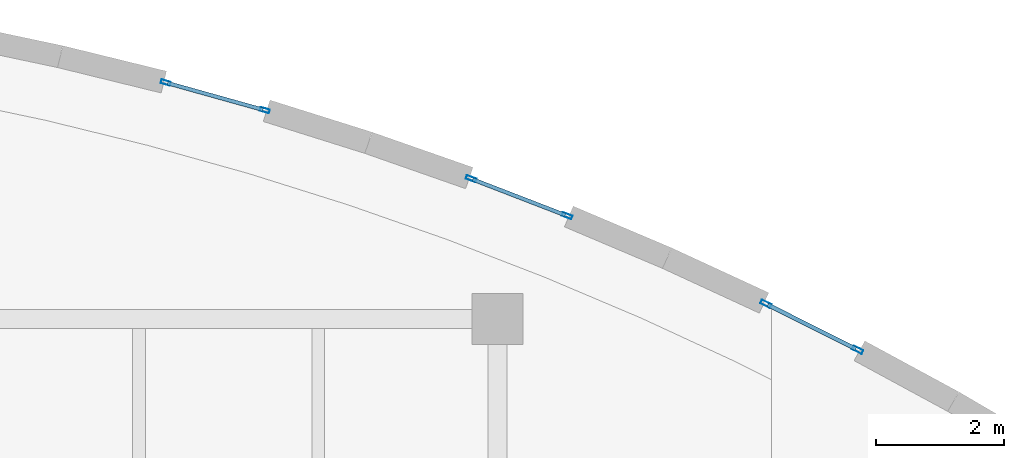
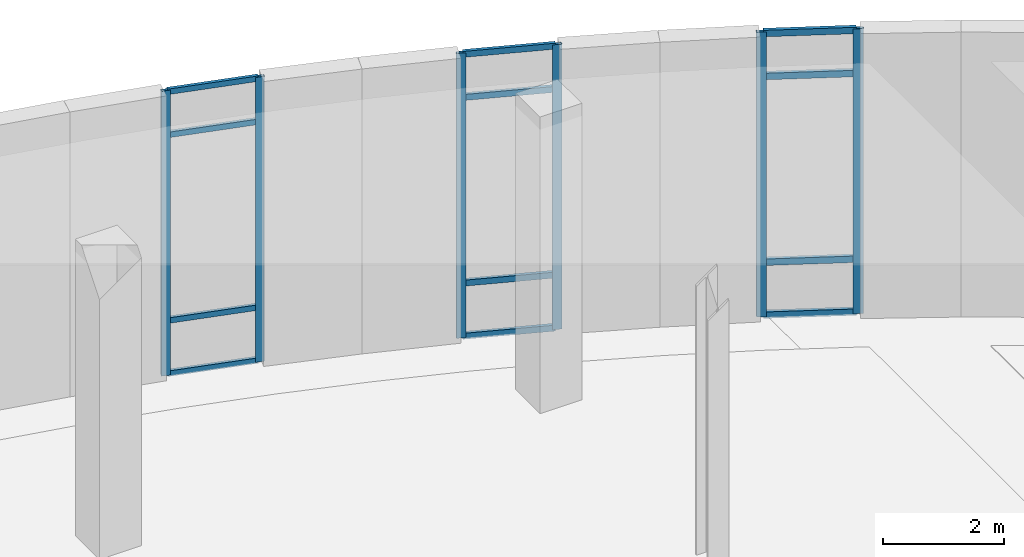
# One storey, part 36 of 85: 18 members, 3 elements without a shape of their own.
"""IFC4 building model written with IfcOpenShell, lengths in metres."""

from ifc_helpers import new_model, si_unit, direction, frame, origin, origin_2d, place, context, subcontext, project, spatial, hollow_rectangle, extrude, material, layer, layer_set, material_profile, profile_set, type_object, element, aggregate, save


model = new_model("IFC4")

# Units and contexts
model_context = context("Model", 3, precision=1e-05, world=origin(), true_north=direction((0.0, 1.0)))
body_context = subcontext(model_context, "Body", "Model", "MODEL_VIEW")
ifc_project = project(units=[si_unit("LENGTHUNIT", "METRE"), si_unit("AREAUNIT", "SQUARE_METRE"), si_unit("VOLUMEUNIT", "CUBIC_METRE"), si_unit("PLANEANGLEUNIT", "RADIAN"), si_unit("MASSUNIT", "GRAM", prefix="KILO"), si_unit("THERMODYNAMICTEMPERATUREUNIT", "KELVIN")], contexts=[model_context])

# Site, building, storey
site_placement = place(None, origin())
site = spatial("IfcSite", under=ifc_project, at=site_placement, CompositionType="ELEMENT")
building_placement = place(site_placement, origin())
building = spatial("IfcBuilding", under=site, at=building_placement, Name="Lustrewick Department Store", CompositionType="ELEMENT")
storey_placement = place(building_placement, origin())
storey = spatial("IfcBuildingStorey", under=building, at=storey_placement, Name="L01", CompositionType="ELEMENT", Elevation=0.0)

# Curtain wall, members
ifc_material = material(Name="Thermally broken aluminium 6063-T5", Category="aluminium")
ifc_layer_1 = layer(ifc_material, 0.169921875, Name="Thermally broken aluminium 6063-T5")
ifc_layer_set_1 = layer_set([ifc_layer_1], Name="Thermally broken aluminium 6063-T5")
curtain_wall_type_1 = type_object("IfcCurtainWallType", Name="CW12", PredefinedType="NOTDEFINED", material=ifc_layer_set_1)
curtain_wall_1_placement = place(storey_placement, origin())
curtain_wall_1 = element("IfcCurtainWall", 1, at=curtain_wall_1_placement, inside=storey, type_object=curtain_wall_type_1, Name="L01 V4 Curtain Wall CW12", PredefinedType="NOTDEFINED")
ifc_material_profile_1 = material_profile(ifc_material, hollow_rectangle(XDim=0.06494140625, YDim=0.169921875, WallThickness=0.00390625, at=origin_2d()), Name="ALU-M 65x170x4")
ifc_profile_set_1 = profile_set([ifc_material_profile_1], Name="Thermally broken aluminium 6063-T5")
member_type_1 = type_object("IfcMemberType", Name="CW12-M1", PredefinedType="MULLION", material=ifc_profile_set_1)
member_1_placement = place(storey_placement, frame((140.02294921875, 105.7177734375, 0.0), z_axis=(0.0, 0.0, 1.0), x_axis=(-0.448269164132, -0.893898627635, 0.0)))
member_1 = element("IfcMember", 2, at=member_1_placement, type_object=member_type_1, Name="CW12 mullion 1", PredefinedType="MULLION", context=body_context, shape_type="SweptSolid", body=[
    extrude(hollow_rectangle(XDim=0.06494140625, YDim=0.169921875, WallThickness=0.00390625, at=origin_2d()), origin(), (0.0, 0.0, 1.0), 5.7451171875),
])
member_2_placement = place(storey_placement, frame((138.591064453125, 106.435791015625, 0.0), z_axis=(0.0, 0.0, 1.0), x_axis=(-0.448269164132, -0.893898627635, 0.0)))
member_2 = element("IfcMember", 3, at=member_2_placement, type_object=member_type_1, Name="CW12 mullion 2", PredefinedType="MULLION", context=body_context, shape_type="SweptSolid", body=[
    extrude(hollow_rectangle(XDim=0.06494140625, YDim=0.169921875, WallThickness=0.00390625, at=origin_2d()), origin(), (0.0, 0.0, 1.0), 5.7451171875),
])
ifc_material_profile_2 = material_profile(ifc_material, hollow_rectangle(XDim=0.06494140625, YDim=0.1298828125, WallThickness=0.00341796875, at=origin_2d()), Name="ALU-T 65x130x3.5")
ifc_profile_set_2 = profile_set([ifc_material_profile_2], Name="Thermally broken aluminium 6063-T5")
member_type_2 = type_object("IfcMemberType", Name="CW12-T1", PredefinedType="USERDEFINED", material=ifc_profile_set_2)
member_3_placement = place(storey_placement, frame((139.993896484375, 105.732421875, 0.032470703125), z_axis=(-0.893950079158, 0.44816654937, 0.0), x_axis=(-0.44816654937, -0.893950079158, 0.0)))
member_3 = element("IfcMember", 4, at=member_3_placement, type_object=member_type_2, Name="CW12 transom 1.1", ObjectType="TRANSOM", PredefinedType="USERDEFINED", context=body_context, shape_type="SweptSolid", body=[
    extrude(hollow_rectangle(XDim=0.06494140625, YDim=0.1298828125, WallThickness=0.00341796875, at=origin_2d()), origin(), (0.0, 0.0, 1.0), 1.536865234375),
])
member_4_placement = place(storey_placement, frame((139.993896484375, 105.732421875, 1.10009765625), z_axis=(-0.893950079158, 0.44816654937, 0.0), x_axis=(-0.44816654937, -0.893950079158, 0.0)))
member_4 = element("IfcMember", 5, at=member_4_placement, type_object=member_type_2, Name="CW12 transom 1.2", ObjectType="TRANSOM", PredefinedType="USERDEFINED", context=body_context, shape_type="SweptSolid", body=[
    extrude(hollow_rectangle(XDim=0.06494140625, YDim=0.1298828125, WallThickness=0.00341796875, at=origin_2d()), origin(), (0.0, 0.0, 1.0), 1.536865234375),
])
member_5_placement = place(storey_placement, frame((139.993896484375, 105.732421875, 4.844970703125), z_axis=(-0.893950079158, 0.44816654937, 0.0), x_axis=(-0.44816654937, -0.893950079158, 0.0)))
member_5 = element("IfcMember", 6, at=member_5_placement, type_object=member_type_2, Name="CW12 transom 1.3", ObjectType="TRANSOM", PredefinedType="USERDEFINED", context=body_context, shape_type="SweptSolid", body=[
    extrude(hollow_rectangle(XDim=0.06494140625, YDim=0.1298828125, WallThickness=0.00341796875, at=origin_2d()), origin(), (0.0, 0.0, 1.0), 1.536865234375),
])
member_6_placement = place(storey_placement, frame((139.993896484375, 105.732421875, 5.71240234375), z_axis=(-0.893950079158, 0.44816654937, 0.0), x_axis=(-0.44816654937, -0.893950079158, 0.0)))
member_6 = element("IfcMember", 7, at=member_6_placement, type_object=member_type_2, Name="CW12 transom 1.4", ObjectType="TRANSOM", PredefinedType="USERDEFINED", context=body_context, shape_type="SweptSolid", body=[
    extrude(hollow_rectangle(XDim=0.06494140625, YDim=0.1298828125, WallThickness=0.00341796875, at=origin_2d()), origin(), (0.0, 0.0, 1.0), 1.536865234375),
])
aggregate(curtain_wall_1, [member_1, member_2, member_3, member_4, member_5, member_6])

ifc_layer_2 = layer(ifc_material, 0.159912109375, Name="Thermally broken aluminium 6063-T5")
ifc_layer_set_2 = layer_set([ifc_layer_2], Name="Thermally broken aluminium 6063-T5")
curtain_wall_type_2 = type_object("IfcCurtainWallType", Name="CW13", PredefinedType="NOTDEFINED", material=ifc_layer_set_2)
curtain_wall_2_placement = place(storey_placement, origin())
curtain_wall_2 = element("IfcCurtainWall", 8, at=curtain_wall_2_placement, inside=storey, type_object=curtain_wall_type_2, Name="L01 V4 Curtain Wall CW13", PredefinedType="NOTDEFINED")
ifc_material_profile_3 = material_profile(ifc_material, hollow_rectangle(XDim=0.06005859375, YDim=0.159912109375, WallThickness=0.00390625, at=origin_2d()), Name="ALU-M 60x160x4")
ifc_profile_set_3 = profile_set([ifc_material_profile_3], Name="Thermally broken aluminium 6063-T5")
member_type_3 = type_object("IfcMemberType", Name="CW13-M1", PredefinedType="MULLION", material=ifc_profile_set_3)
member_7_placement = place(storey_placement, frame((135.48583984375, 107.810546875, 0.0), z_axis=(0.0, 0.0, 1.0), x_axis=(-0.360369620251, -0.932809593004, 0.0)))
member_7 = element("IfcMember", 9, at=member_7_placement, type_object=member_type_3, Name="CW13 mullion 1", PredefinedType="MULLION", context=body_context, shape_type="SweptSolid", body=[
    extrude(hollow_rectangle(XDim=0.06005859375, YDim=0.159912109375, WallThickness=0.00390625, at=origin_2d()), origin(), (0.0, 0.0, 1.0), 5.7451171875),
])
member_8_placement = place(storey_placement, frame((133.987060546875, 108.3896484375, 0.0), z_axis=(0.0, 0.0, 1.0), x_axis=(-0.360369620251, -0.932809593004, 0.0)))
member_8 = element("IfcMember", 10, at=member_8_placement, type_object=member_type_3, Name="CW13 mullion 2", PredefinedType="MULLION", context=body_context, shape_type="SweptSolid", body=[
    extrude(hollow_rectangle(XDim=0.06005859375, YDim=0.159912109375, WallThickness=0.00390625, at=origin_2d()), origin(), (0.0, 0.0, 1.0), 5.7451171875),
])
ifc_material_profile_4 = material_profile(ifc_material, hollow_rectangle(XDim=0.06005859375, YDim=0.1201171875, WallThickness=0.00341796875, at=origin_2d()), Name="ALU-T 60x120x3.5")
ifc_profile_set_4 = profile_set([ifc_material_profile_4], Name="Thermally broken aluminium 6063-T5")
member_type_4 = type_object("IfcMemberType", Name="CW13-T1", PredefinedType="USERDEFINED", material=ifc_profile_set_4)
member_9_placement = place(storey_placement, frame((135.4580078125, 107.8212890625, 0.030029296875), z_axis=(-0.932840330037, 0.360290047957, 0.0), x_axis=(-0.360290047957, -0.932840330037, 0.0)))
member_9 = element("IfcMember", 11, at=member_9_placement, type_object=member_type_4, Name="CW13 transom 1.1", ObjectType="TRANSOM", PredefinedType="USERDEFINED", context=body_context, shape_type="SweptSolid", body=[
    extrude(hollow_rectangle(XDim=0.06005859375, YDim=0.1201171875, WallThickness=0.00341796875, at=origin_2d()), origin(), (0.0, 0.0, 1.0), 1.547119140625),
])
member_10_placement = place(storey_placement, frame((135.4580078125, 107.8212890625, 1.10009765625), z_axis=(-0.932840330037, 0.360290047957, 0.0), x_axis=(-0.360290047957, -0.932840330037, 0.0)))
member_10 = element("IfcMember", 12, at=member_10_placement, type_object=member_type_4, Name="CW13 transom 1.2", ObjectType="TRANSOM", PredefinedType="USERDEFINED", context=body_context, shape_type="SweptSolid", body=[
    extrude(hollow_rectangle(XDim=0.06005859375, YDim=0.1201171875, WallThickness=0.00341796875, at=origin_2d()), origin(), (0.0, 0.0, 1.0), 1.547119140625),
])
member_11_placement = place(storey_placement, frame((135.4580078125, 107.8212890625, 4.844970703125), z_axis=(-0.932840330037, 0.360290047957, 0.0), x_axis=(-0.360290047957, -0.932840330037, 0.0)))
member_11 = element("IfcMember", 13, at=member_11_placement, type_object=member_type_4, Name="CW13 transom 1.3", ObjectType="TRANSOM", PredefinedType="USERDEFINED", context=body_context, shape_type="SweptSolid", body=[
    extrude(hollow_rectangle(XDim=0.06005859375, YDim=0.1201171875, WallThickness=0.00341796875, at=origin_2d()), origin(), (0.0, 0.0, 1.0), 1.547119140625),
])
member_12_placement = place(storey_placement, frame((135.4580078125, 107.8212890625, 5.715087890625), z_axis=(-0.932840330037, 0.360290047957, 0.0), x_axis=(-0.360290047957, -0.932840330037, 0.0)))
member_12 = element("IfcMember", 14, at=member_12_placement, type_object=member_type_4, Name="CW13 transom 1.4", ObjectType="TRANSOM", PredefinedType="USERDEFINED", context=body_context, shape_type="SweptSolid", body=[
    extrude(hollow_rectangle(XDim=0.06005859375, YDim=0.1201171875, WallThickness=0.00341796875, at=origin_2d()), origin(), (0.0, 0.0, 1.0), 1.547119140625),
])
aggregate(curtain_wall_2, [member_7, member_8, member_9, member_10, member_11, member_12])

ifc_layer_3 = layer(ifc_material, 0.14990234375, Name="Thermally broken aluminium 6063-T5")
ifc_layer_set_3 = layer_set([ifc_layer_3], Name="Thermally broken aluminium 6063-T5")
curtain_wall_type_3 = type_object("IfcCurtainWallType", Name="CW14", PredefinedType="NOTDEFINED", material=ifc_layer_set_3)
curtain_wall_3_placement = place(storey_placement, origin())
curtain_wall_3 = element("IfcCurtainWall", 15, at=curtain_wall_3_placement, inside=storey, type_object=curtain_wall_type_3, Name="L01 V4 Curtain Wall CW14", PredefinedType="NOTDEFINED")
ifc_material_profile_5 = material_profile(ifc_material, hollow_rectangle(XDim=0.06005859375, YDim=0.14990234375, WallThickness=0.00341796875, at=origin_2d()), Name="ALU-M 60x150x3.5")
ifc_profile_set_5 = profile_set([ifc_material_profile_5], Name="Thermally broken aluminium 6063-T5")
member_type_5 = type_object("IfcMemberType", Name="CW14-M1", PredefinedType="MULLION", material=ifc_profile_set_5)
member_13_placement = place(storey_placement, frame((130.7666015625, 109.458740234375, 0.0), z_axis=(0.0, 0.0, 1.0), x_axis=(-0.269122540313, -0.963105943443, 0.0)))
member_13 = element("IfcMember", 16, at=member_13_placement, type_object=member_type_5, Name="CW14 mullion 1", PredefinedType="MULLION", context=body_context, shape_type="SweptSolid", body=[
    extrude(hollow_rectangle(XDim=0.06005859375, YDim=0.14990234375, WallThickness=0.00341796875, at=origin_2d()), origin(), (0.0, 0.0, 1.0), 5.7451171875),
])
member_14_placement = place(storey_placement, frame((129.218994140625, 109.89111328125, 0.0), z_axis=(0.0, 0.0, 1.0), x_axis=(-0.269122540313, -0.963105943443, 0.0)))
member_14 = element("IfcMember", 17, at=member_14_placement, type_object=member_type_5, Name="CW14 mullion 2", PredefinedType="MULLION", context=body_context, shape_type="SweptSolid", body=[
    extrude(hollow_rectangle(XDim=0.06005859375, YDim=0.14990234375, WallThickness=0.00341796875, at=origin_2d()), origin(), (0.0, 0.0, 1.0), 5.7451171875),
])
ifc_material_profile_6 = material_profile(ifc_material, hollow_rectangle(XDim=0.06005859375, YDim=0.110107421875, WallThickness=0.0029296875, at=origin_2d()), Name="ALU-T 60x110x3")
ifc_profile_set_6 = profile_set([ifc_material_profile_6], Name="Thermally broken aluminium 6063-T5")
member_type_6 = type_object("IfcMemberType", Name="CW14-T1", PredefinedType="USERDEFINED", material=ifc_profile_set_6)
member_15_placement = place(storey_placement, frame((130.737548828125, 109.466796875, 0.030029296875), z_axis=(-0.963109770837, 0.269108842884, 0.0), x_axis=(-0.269108842884, -0.963109770837, 0.0)))
member_15 = element("IfcMember", 18, at=member_15_placement, type_object=member_type_6, Name="CW14 transom 1.1", ObjectType="TRANSOM", PredefinedType="USERDEFINED", context=body_context, shape_type="SweptSolid", body=[
    extrude(hollow_rectangle(XDim=0.06005859375, YDim=0.110107421875, WallThickness=0.0029296875, at=origin_2d()), origin(), (0.0, 0.0, 1.0), 1.546875),
])
member_16_placement = place(storey_placement, frame((130.737548828125, 109.466796875, 1.10009765625), z_axis=(-0.963109770837, 0.269108842884, 0.0), x_axis=(-0.269108842884, -0.963109770837, 0.0)))
member_16 = element("IfcMember", 19, at=member_16_placement, type_object=member_type_6, Name="CW14 transom 1.2", ObjectType="TRANSOM", PredefinedType="USERDEFINED", context=body_context, shape_type="SweptSolid", body=[
    extrude(hollow_rectangle(XDim=0.06005859375, YDim=0.110107421875, WallThickness=0.0029296875, at=origin_2d()), origin(), (0.0, 0.0, 1.0), 1.546875),
])
member_17_placement = place(storey_placement, frame((130.737548828125, 109.466796875, 4.844970703125), z_axis=(-0.963109770837, 0.269108842884, 0.0), x_axis=(-0.269108842884, -0.963109770837, 0.0)))
member_17 = element("IfcMember", 20, at=member_17_placement, type_object=member_type_6, Name="CW14 transom 1.3", ObjectType="TRANSOM", PredefinedType="USERDEFINED", context=body_context, shape_type="SweptSolid", body=[
    extrude(hollow_rectangle(XDim=0.06005859375, YDim=0.110107421875, WallThickness=0.0029296875, at=origin_2d()), origin(), (0.0, 0.0, 1.0), 1.546875),
])
member_18_placement = place(storey_placement, frame((130.737548828125, 109.466796875, 5.715087890625), z_axis=(-0.963109770837, 0.269108842884, 0.0), x_axis=(-0.269108842884, -0.963109770837, 0.0)))
member_18 = element("IfcMember", 21, at=member_18_placement, type_object=member_type_6, Name="CW14 transom 1.4", ObjectType="TRANSOM", PredefinedType="USERDEFINED", context=body_context, shape_type="SweptSolid", body=[
    extrude(hollow_rectangle(XDim=0.06005859375, YDim=0.110107421875, WallThickness=0.0029296875, at=origin_2d()), origin(), (0.0, 0.0, 1.0), 1.546875),
])
aggregate(curtain_wall_3, [member_13, member_14, member_15, member_16, member_17, member_18])

save(model, "model.ifc")
